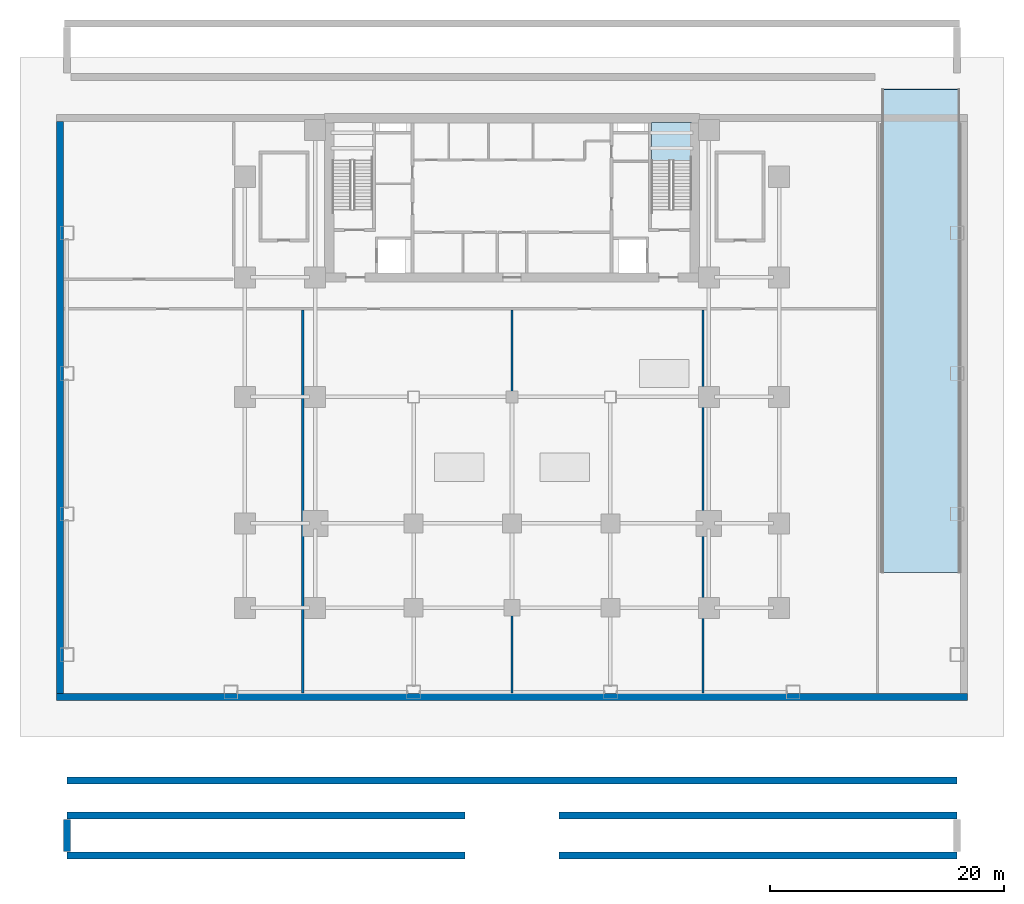
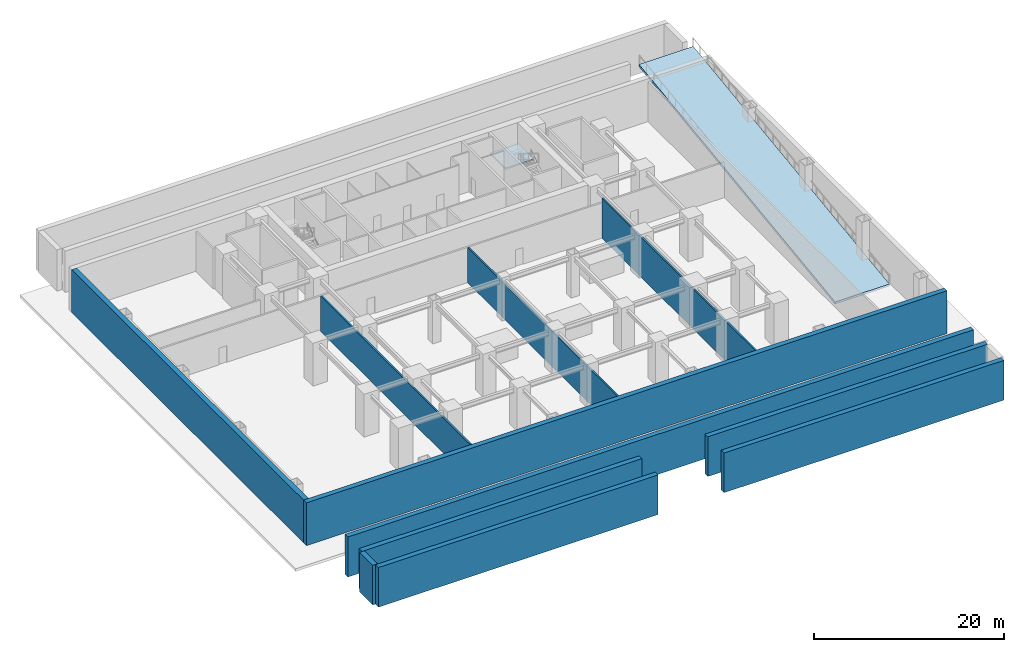
# One storey, part 2 of 8: 11 walls, 2 slabs, 1 element without a shape of its own.
"""IFC4 building model written with IfcOpenShell, lengths in metres."""

from ifc_helpers import new_model, si_unit, direction, frame, frame_2d, origin, place, context, subcontext, project, spatial, polyline, rectangle, outline, extrude, source, transform, mapped, material, layer, layer_set, type_object, element, aggregate, save


model = new_model("IFC4")

# Units and contexts
model_context = context("Model", 3, precision=1e-05, world=origin(), true_north=direction((0.0, 1.0)))
body_context = subcontext(model_context, "Body", "Model", "MODEL_VIEW")
ifc_project = project(units=[si_unit("LENGTHUNIT", "METRE"), si_unit("AREAUNIT", "SQUARE_METRE"), si_unit("VOLUMEUNIT", "CUBIC_METRE"), si_unit("PLANEANGLEUNIT", "RADIAN"), si_unit("MASSUNIT", "GRAM", prefix="KILO")], contexts=[model_context])

# Site, building, storey
site_placement = place(None, origin())
site = spatial("IfcSite", under=ifc_project, at=site_placement, CompositionType="ELEMENT")
building_placement = place(site_placement, origin())
building = spatial("IfcBuilding", under=site, at=building_placement, Name="Sumidabori Civic Tower", CompositionType="ELEMENT")
storey_placement = place(building_placement, frame((0.0, 0.0, -5.5)))
storey = spatial("IfcBuildingStorey", under=building, at=storey_placement, Name="B1", CompositionType="ELEMENT", Elevation=-5.5)

# Stair, slab
ifc_material_1 = material(Name="Concrete C40/50", Category="concrete")
stair_type = type_object("IfcStairType", Name="ST-CORE-1600", PredefinedType="HALF_TURN_STAIR", material=ifc_material_1)
stair_placement = place(storey_placement, origin())
stair = element("IfcStair", 1, at=stair_placement, inside=storey, type_object=stair_type, Name="B1 ST-2", PredefinedType="HALF_TURN_STAIR")
ifc_layer_1 = layer(ifc_material_1, 0.199951171875, Name="Concrete C40/50")
ifc_layer_set_1 = layer_set([ifc_layer_1], Name="Concrete C40/50")
slab_type_1 = type_object("IfcSlabType", Name="SL-LAND-200", PredefinedType="LANDING", material=ifc_layer_set_1)
slab_1_placement = place(storey_placement, frame((0.0, 0.0, 2.550048828125)))
slab_1 = element("IfcSlab", 2, at=slab_1_placement, type_object=slab_type_1, Name="ST-2 landing 1", PredefinedType="LANDING", context=body_context, shape_type="SweptSolid", body=[
    extrude(outline(polyline([(15.340087890625, 20.199951171875), (15.340087890625, 23.449951171875), (11.89990234375, 23.449951171875), (11.89990234375, 20.199951171875), (15.340087890625, 20.199951171875)])), origin(), (0.0, 0.0, 1.0), 0.199951171875),
])
aggregate(stair, [slab_1])

# Slab
ifc_layer_2 = layer(ifc_material_1, 0.300048828125, Name="Concrete C40/50")
ifc_layer_set_2 = layer_set([ifc_layer_2], Name="Concrete C40/50")
slab_type_2 = type_object("IfcSlabType", Name="SL-RAMP-VEH300", PredefinedType="FLOOR", material=ifc_layer_set_2)
slab_2_placement = place(storey_placement, frame((31.60009765625, -15.0, 0.0), z_axis=(0.0, -0.132132216749, 0.991232100619), x_axis=(1.0, 0.0, 0.0)))
element("IfcSlab", 3, at=slab_2_placement, inside=storey, type_object=slab_type_2, Name="Car Park Vehicle Ramp Slab R1 (B1 to L00)", PredefinedType="FLOOR", context=body_context, shape_type="SweptSolid", body=[
    extrude(outline(polyline([(0.0, 0.0), (6.599853515625, 0.0), (6.599853515625, 41.62497334364877), (0.0, 41.62497334364877), (0.0, 0.0)])), origin(), (0.0, 0.0, -1.0), 0.300048828125),
])

# Walls
ifc_material_2 = material(Name="Concrete C50/60", Category="concrete")
ifc_layer_3 = layer(ifc_material_2, 0.60009765625, Name="Concrete C50/60")
ifc_layer_set_3 = layer_set([ifc_layer_3], Name="Concrete C50/60")
wall_type_1 = type_object("IfcWallType", Name="WL-RET-600", PredefinedType="SHEAR", material=ifc_layer_set_3)
shared_shape_1 = source(origin(), body_context, "Body", "SweptSolid", [
    extrude(rectangle(XDim=77.7998046875, YDim=0.60009765625, at=frame_2d((38.89990234375, 0.0))), origin(), (0.0, 0.0, 1.0), 5.5),
])
wall_1_placement = place(storey_placement, frame((-38.89990234375, -25.60009765625, 0.0), z_axis=(0.0, 0.0, 1.0), x_axis=(1.0, 0.0, 0.0)))
element("IfcWall", 4, at=wall_1_placement, inside=storey, type_object=wall_type_1, Name="Basement Retaining Wall B1 S", PredefinedType="SHEAR", context=body_context, shape_type="MappedRepresentation", body=[
    mapped(shared_shape_1, transform((0.0, 0.0, 0.0), x_axis=(1.0, 0.0, 0.0), y_axis=(0.0, 1.0, 0.0), z_axis=(0.0, 0.0, 1.0), scale=1.0)),
])
shared_shape_2 = source(origin(), body_context, "Body", "SweptSolid", [
    extrude(rectangle(XDim=48.800048828125, YDim=0.60009765625, at=frame_2d((24.39990234375, 0.0))), origin(), (0.0, 0.0, 1.0), 5.5),
])
wall_2_placement = place(storey_placement, frame((-38.60009765625, -25.300048828125, 0.0), z_axis=(0.0, 0.0, 1.0), x_axis=(0.0, 1.0, 0.0)))
element("IfcWall", 5, at=wall_2_placement, inside=storey, type_object=wall_type_1, Name="Basement Retaining Wall B1 W", PredefinedType="SHEAR", context=body_context, shape_type="MappedRepresentation", body=[
    mapped(shared_shape_2, transform((0.0, 0.0, 0.0), x_axis=(1.0, 0.0, 0.0), y_axis=(0.0, 1.0, 0.0), z_axis=(0.0, 0.0, 1.0), scale=1.0)),
])
shared_shape_3 = source(origin(), body_context, "Body", "SweptSolid", [
    extrude(rectangle(XDim=34.0, YDim=0.60009765625, at=frame_2d((17.0, 0.0))), origin(), (0.0, 0.0, 1.0), 5.10009765625),
])
for number, where, z_axis, x_axis, name in (
    (6, (-38.0, -39.14990234375, 0.0), (0.0, 0.0, 1.0), (1.0, 0.0, 0.0), "Substructure Perimeter Bearing Wall B1 PLZ-SW"),
    (7, (4.0, -39.14990234375, 0.0), (0.0, 0.0, 1.0), (1.0, 0.0, 0.0), "Substructure Perimeter Bearing Wall B1 PLZ-SE"),
):
    element("IfcWall", number, at=place(storey_placement, frame(where, z_axis=z_axis, x_axis=x_axis)), inside=storey, type_object=wall_type_1, Name=name, PredefinedType="SHEAR", context=body_context, shape_type="MappedRepresentation", body=[
        mapped(shared_shape_3, transform((0.0, 0.0, 0.0), x_axis=(1.0, 0.0, 0.0), y_axis=(0.0, 1.0, 0.0), z_axis=(0.0, 0.0, 1.0), scale=1.0)),
    ])
ifc_layer_4 = layer(ifc_material_2, 0.60009765625, Name="Concrete C50/60")
ifc_layer_set_4 = layer_set([ifc_layer_4], Name="Concrete C50/60")
wall_type_2 = type_object("IfcWallType", Name="WL-SUB-600", PredefinedType="SHEAR", material=ifc_layer_set_4)
for number, where, z_axis, x_axis, name in (
    (8, (-38.0, -35.719970703125, 0.0), (0.0, 0.0, 1.0), (1.0, 0.0, 0.0), "Substructure Perimeter Bearing Wall B1 PLZ-NW"),
    (9, (4.0, -35.719970703125, 0.0), (0.0, 0.0, 1.0), (1.0, 0.0, 0.0), "Substructure Perimeter Bearing Wall B1 PLZ-NE"),
):
    element("IfcWall", number, at=place(storey_placement, frame(where, z_axis=z_axis, x_axis=x_axis)), inside=storey, type_object=wall_type_2, Name=name, PredefinedType="SHEAR", context=body_context, shape_type="MappedRepresentation", body=[
        mapped(shared_shape_3, transform((0.0, 0.0, 0.0), x_axis=(1.0, 0.0, 0.0), y_axis=(0.0, 1.0, 0.0), z_axis=(0.0, 0.0, 1.0), scale=1.0)),
    ])
shared_shape_4 = source(origin(), body_context, "Body", "SweptSolid", [
    extrude(rectangle(XDim=2.75, YDim=0.60009765625, at=frame_2d((1.375, 0.0))), origin(), (0.0, 0.0, 1.0), 5.10009765625),
])
wall_3_placement = place(storey_placement, frame((-38.0, -38.800048828125, 0.0), z_axis=(0.0, 0.0, 1.0), x_axis=(0.0, 1.0, 0.0)))
element("IfcWall", 10, at=wall_3_placement, inside=storey, type_object=wall_type_1, Name="Substructure Perimeter Bearing Wall B1 PLZ-CW", PredefinedType="SHEAR", context=body_context, shape_type="MappedRepresentation", body=[
    mapped(shared_shape_4, transform((0.0, 0.0, 0.0), x_axis=(1.0, 0.0, 0.0), y_axis=(0.0, 1.0, 0.0), z_axis=(0.0, 0.0, 1.0), scale=1.0)),
])
shared_shape_5 = source(origin(), body_context, "Body", "SweptSolid", [
    extrude(rectangle(XDim=76.0, YDim=0.60009765625, at=frame_2d((38.0, 0.0))), origin(), (0.0, 0.0, 1.0), 5.139892578125),
])
wall_4_placement = place(storey_placement, frame((-38.0, -32.75, 0.0), z_axis=(0.0, 0.0, 1.0), x_axis=(1.0, 0.0, 0.0)))
element("IfcWall", 11, at=wall_4_placement, inside=storey, type_object=wall_type_2, Name="Substructure Perimeter Bearing Wall B1 POD-S", PredefinedType="SHEAR", context=body_context, shape_type="MappedRepresentation", body=[
    mapped(shared_shape_5, transform((0.0, 0.0, 0.0), x_axis=(1.0, 0.0, 0.0), y_axis=(0.0, 1.0, 0.0), z_axis=(0.0, 0.0, 1.0), scale=1.0)),
])
ifc_material_3 = material(Name="Gypsum Plasterboard Fire Partition")
ifc_layer_5 = layer(ifc_material_3, 0.199951171875, Name="Gypsum Plasterboard Fire Partition")
ifc_layer_set_5 = layer_set([ifc_layer_5], Name="Gypsum Plasterboard Fire Partition")
wall_type_3 = type_object("IfcWallType", Name="WL-PART-FIRE", PredefinedType="PARTITIONING", material=ifc_layer_set_5)
shared_shape_6 = source(origin(), body_context, "Body", "SweptSolid", [
    extrude(rectangle(XDim=32.699951171875, YDim=0.199951171875, at=frame_2d((16.35009765625, 0.0))), origin(), (0.0, 0.0, 1.0), 4.52490234375),
])
for number, where, z_axis, x_axis, name in (
    (12, (-17.85009765625, -25.2900390625, 0.0), (0.0, 0.0, 1.0), (0.0, 1.0, 0.0), "Interior Partition WL:B1:DIV1"),
    (13, (0.0, -25.2900390625, 0.0), (0.0, 0.0, 1.0), (0.0, 1.0, 0.0), "Interior Partition WL:B1:DIV2"),
):
    element("IfcWall", number, at=place(storey_placement, frame(where, z_axis=z_axis, x_axis=x_axis)), inside=storey, type_object=wall_type_3, Name=name, PredefinedType="PARTITIONING", context=body_context, shape_type="MappedRepresentation", body=[
        mapped(shared_shape_6, transform((0.0, 0.0, 0.0), x_axis=(1.0, 0.0, 0.0), y_axis=(0.0, 1.0, 0.0), z_axis=(0.0, 0.0, 1.0), scale=1.0)),
    ])
shared_shape_7 = source(origin(), body_context, "Body", "SweptSolid", [
    extrude(rectangle(XDim=32.699951171875, YDim=0.199951171875, at=frame_2d((16.35009765625, 0.0))), origin(), (0.0, 0.0, 1.0), 5.139892578125),
])
wall_5_placement = place(storey_placement, frame((16.300048828125, -25.2900390625, 0.0), z_axis=(0.0, 0.0, 1.0), x_axis=(0.0, 1.0, 0.0)))
element("IfcWall", 14, at=wall_5_placement, inside=storey, type_object=wall_type_3, Name="Interior Partition WL:B1:DIV3", PredefinedType="PARTITIONING", context=body_context, shape_type="MappedRepresentation", body=[
    mapped(shared_shape_7, transform((0.0, 0.0, 0.0), x_axis=(1.0, 0.0, 0.0), y_axis=(0.0, 1.0, 0.0), z_axis=(0.0, 0.0, 1.0), scale=1.0)),
])

save(model, "model.ifc")
